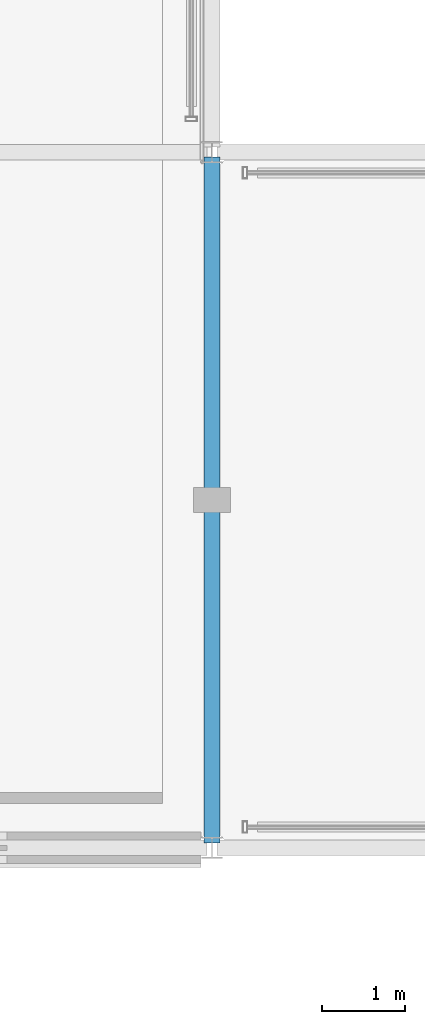
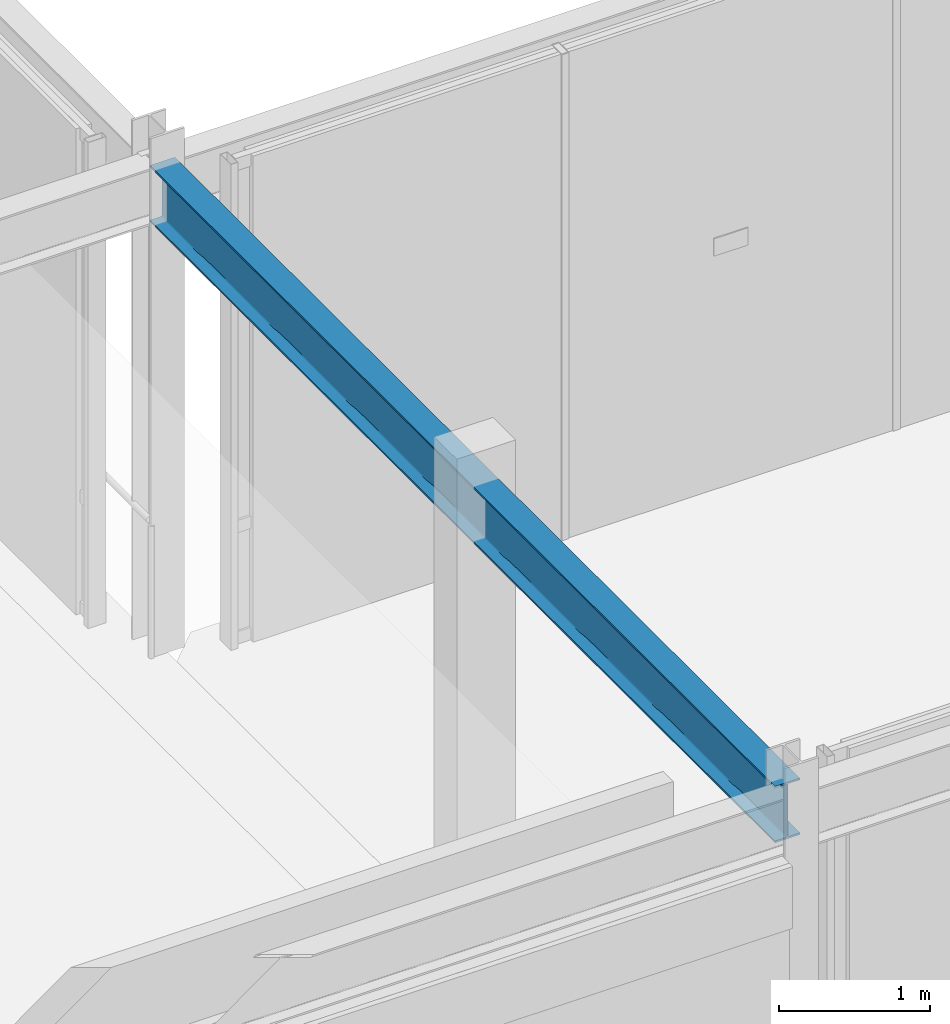
# One storey, part 30 of 152: 1 beam.
"""IFC4 building model written with IfcOpenShell, lengths in metres."""

from ifc_helpers import new_model, si_unit, direction, frame, origin, origin_2d, place, context, subcontext, project, spatial, i_section, extrude, material, material_profile, profile_set, type_object, element, save


model = new_model("IFC4")

# Units and contexts
model_context = context("Model", 3, precision=1e-05, world=origin(), true_north=direction((0.0, 1.0)))
body_context = subcontext(model_context, "Body", "Model", "MODEL_VIEW")
ifc_project = project(units=[si_unit("LENGTHUNIT", "METRE"), si_unit("AREAUNIT", "SQUARE_METRE"), si_unit("VOLUMEUNIT", "CUBIC_METRE"), si_unit("PLANEANGLEUNIT", "RADIAN"), si_unit("MASSUNIT", "GRAM", prefix="KILO"), si_unit("THERMODYNAMICTEMPERATUREUNIT", "KELVIN"), si_unit("POWERUNIT", "WATT")], contexts=[model_context])

# Site, building, storey
site_placement = place(None, origin())
site = spatial("IfcSite", under=ifc_project, at=site_placement, CompositionType="ELEMENT")
building_placement = place(site_placement, origin())
building = spatial("IfcBuilding", under=site, at=building_placement, Name="Darbajah Civic Hall", CompositionType="ELEMENT")
storey_placement = place(building_placement, frame((0.0, 0.0, 5.39990234375)))
storey = spatial("IfcBuildingStorey", under=building, at=storey_placement, Name="L01", CompositionType="ELEMENT", Elevation=5.39990234375)

# Beam
ifc_material = material(Name="Steel S355JR", Category="steel")
ifc_material_profile = material_profile(ifc_material, i_section(OverallWidth=0.1904296875, OverallDepth=0.45703125, WebThickness=0.009033203125, FlangeThickness=0.014404296875, FilletRadius=0.01025390625, at=origin_2d()), Name="UB 457x191x74")
ifc_profile_set = profile_set([ifc_material_profile], Name="Steel S355JR")
beam_type = type_object("IfcBeamType", Name="UB 457x191x74", PredefinedType="BEAM", material=ifc_profile_set)
beam_placement = place(storey_placement, frame((94.199951171875, 33.659912109375, 3.70166015625), z_axis=(0.0, 1.0, 0.0), x_axis=(-1.0, 0.0, 0.0)))
element("IfcBeam", 1, at=beam_placement, inside=storey, type_object=beam_type, Name="L01 beam SB-457", PredefinedType="BEAM", context=body_context, shape_type="SweptSolid", body=[
    extrude(i_section(OverallWidth=0.1904296875, OverallDepth=0.45703125, WebThickness=0.009033203125, FlangeThickness=0.014404296875, FilletRadius=0.01025390625, at=origin_2d()), origin(), (0.0, 0.0, 1.0), 8.280029296875),
])

save(model, "model.ifc")
